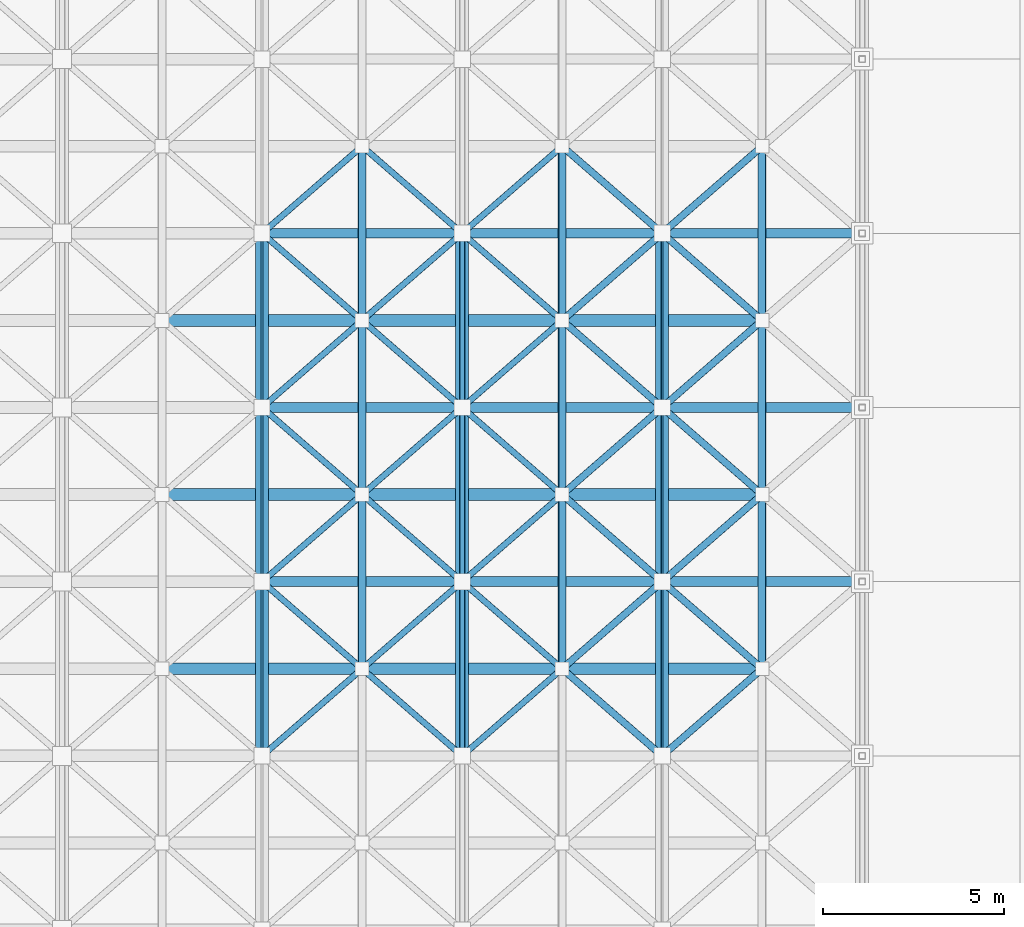
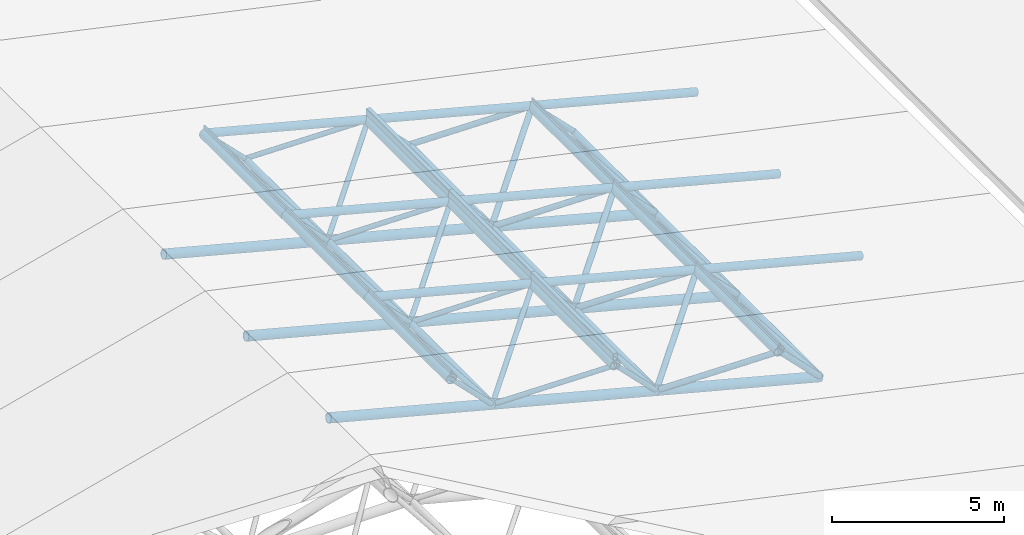
# One storey, part 12 of 60: 80 members.
"""IFC4 building model written with IfcOpenShell, lengths in metres."""

import ifcopenshell
import ifcopenshell.guid

model = None  # the IFC model being written
_history = None  # IfcOwnerHistory: only IFC2X3 demands one
_inside = {}  # id of a spatial element -> (the spatial element, [elements in it])
_under = {}  # id of a project, library or spatial element -> (it, [spatial elements below it])
_declared = {}  # id of a project -> (the project, [libraries it declares])
_typed = {}  # id of a type object -> (the type object, [elements of that type])
_made_of = {}  # id of a material, layer set ... -> (it, [elements and type objects made of it])


def new_model(schema):
    """Start an empty IFC model of exactly this schema.

    Asked for "IFC4X3", IfcOpenShell would pick the latest addendum, in which some entities
    have other attributes; the version numbers below select the first issue.
    IFC2X3 requires an IfcOwnerHistory on every rooted entity: one is made here for all.
    """
    global model, _history
    if schema == "IFC4X3":
        model = ifcopenshell.file(schema_version=(4, 3, 0, 0))
    else:
        model = ifcopenshell.file(schema=schema)
    _inside.clear()
    _under.clear()
    _declared.clear()
    _typed.clear()
    _made_of.clear()
    _history = None
    if model.schema == "IFC2X3":
        org = make("IfcOrganization", Name="unknown")
        user = make(
            "IfcPersonAndOrganization",
            ThePerson=make("IfcPerson", FamilyName="unknown"),
            TheOrganization=org,
        )
        app = make(
            "IfcApplication",
            ApplicationDeveloper=org,
            Version="unknown",
            ApplicationFullName="unknown",
            ApplicationIdentifier="unknown",
        )
        _history = make(
            "IfcOwnerHistory",
            OwningUser=user,
            OwningApplication=app,
            ChangeAction="ADDED",
            CreationDate=0,
        )
    return model


def make(cls, **values):
    """One entity of the class cls with the attributes given. An attribute that is None is left unset."""
    return model.create_entity(
        cls, **{name: value for name, value in values.items() if value is not None}
    )


def rooted(cls, **values):
    """An entity with a GlobalId (a new one), such as an element, a storey or a relation."""
    return make(cls, GlobalId=ifcopenshell.guid.new(), OwnerHistory=_history, **values)


def si_unit(unit_type, name, prefix=None):
    """IfcSIUnit, for example si_unit("LENGTHUNIT", "METRE", prefix="MILLI")."""
    return make("IfcSIUnit", UnitType=unit_type, Prefix=prefix, Name=name)


def assignment(units):
    """IfcUnitAssignment: the units of a project."""
    return None if units is None else make("IfcUnitAssignment", Units=units)


def point(xyz):
    """IfcCartesianPoint."""
    return None if xyz is None else make("IfcCartesianPoint", Coordinates=xyz)


def direction(xyz):
    """IfcDirection."""
    return None if xyz is None else make("IfcDirection", DirectionRatios=xyz)


def frame(location, z_axis=None, x_axis=None):
    """IfcAxis2Placement3D, a coordinate frame: its origin and axes. An axis left out is left unset."""
    return make(
        "IfcAxis2Placement3D",
        Location=point(location),
        Axis=direction(z_axis),
        RefDirection=direction(x_axis),
    )


def frame_2d(location, x_axis=None):
    """IfcAxis2Placement2D, a coordinate frame in the plane: its origin and x axis."""
    return make(
        "IfcAxis2Placement2D", Location=point(location), RefDirection=direction(x_axis)
    )


def origin():
    """The frame at (0, 0, 0) with its axes left unset."""
    return frame((0.0, 0.0, 0.0))


def origin_2d():
    """The frame at (0, 0) in the plane with its x axis left unset."""
    return frame_2d((0.0, 0.0))


def place(relative_to, where):
    """IfcLocalPlacement: puts the frame where relative to a parent placement (None: the world)."""
    return make(
        "IfcLocalPlacement", PlacementRelTo=relative_to, RelativePlacement=where
    )


def context(
    kind, dimensions, precision=None, world=None, true_north=None, identifier=None
):
    """IfcGeometricRepresentationContext, for example the 3D "Model" context."""
    return make(
        "IfcGeometricRepresentationContext",
        ContextIdentifier=identifier,
        ContextType=kind,
        CoordinateSpaceDimension=dimensions,
        Precision=precision,
        WorldCoordinateSystem=world,
        TrueNorth=true_north,
    )


def subcontext(parent, identifier, kind, view, scale=None):
    """IfcGeometricRepresentationSubContext, for example "Body" below "Model"."""
    return make(
        "IfcGeometricRepresentationSubContext",
        ContextIdentifier=identifier,
        ContextType=kind,
        ParentContext=parent,
        TargetScale=scale,
        TargetView=view,
    )


def project(units=None, contexts=None):
    """IfcProject with its units and contexts."""
    return rooted(
        "IfcProject",
        Name="project",
        RepresentationContexts=contexts,
        UnitsInContext=assignment(units),
    )


def spatial(cls, under=None, at=None, **own):
    """A site, building, storey or space (cls), placed at a placement, below another one or the project."""
    s = rooted(cls, ObjectPlacement=at, **own)
    if under is not None:
        _under.setdefault(under.id(), (under, []))[1].append(s)
    return s


def profile(cls, at=None, kind="AREA", **sizes):
    """A parametric profile (cls). Its sizes go by their IFC names, for example OverallWidth=200.0."""
    return make(cls, ProfileType=kind, Position=at, **sizes)


def hollow_rectangle(**sizes):
    """IfcRectangleHollowProfileDef."""
    return profile("IfcRectangleHollowProfileDef", **sizes)


def hollow_circle(**sizes):
    """IfcCircleHollowProfileDef."""
    return profile("IfcCircleHollowProfileDef", **sizes)


def extrude(swept, where, along, depth):
    """IfcExtrudedAreaSolid: the profile swept, set in the frame where, extruded along a direction by depth."""
    return make(
        "IfcExtrudedAreaSolid",
        SweptArea=swept,
        Position=where,
        ExtrudedDirection=direction(along),
        Depth=depth,
    )


def shape(context_of_items, identifier, shape_type, items):
    """IfcShapeRepresentation: the items that make up one representation, for example the "Body"."""
    return make(
        "IfcShapeRepresentation",
        ContextOfItems=context_of_items,
        RepresentationIdentifier=identifier,
        RepresentationType=shape_type,
        Items=items,
    )


def material(Name=None, Category=None):
    """IfcMaterial."""
    return make("IfcMaterial", Name=Name, Category=Category)


def material_profile(
    of_material, cross_section, Name=None, Category=None, Priority=None
):
    """IfcMaterialProfile: a cross section and its material."""
    return make(
        "IfcMaterialProfile",
        Name=Name,
        Material=of_material,
        Profile=cross_section,
        Priority=Priority,
        Category=Category,
    )


def profile_set(profiles, Name=None, composite=None):
    """IfcMaterialProfileSet."""
    return make(
        "IfcMaterialProfileSet",
        Name=Name,
        MaterialProfiles=profiles,
        CompositeProfile=composite,
    )


def made_of(thing, what):
    """Note that an element or type object is made of a material, layer set ...; save() writes the relation."""
    if what is not None:
        _made_of.setdefault(what.id(), (what, []))[1].append(thing)
    return thing


def type_object(cls, material=None, **own):
    """A type object (cls), such as IfcWallType, which elements share."""
    return made_of(rooted(cls, **own), material)


def element(
    cls,
    number,
    at=None,
    inside=None,
    cuts=None,
    type_object=None,
    material=None,
    context=None,
    identifier="Body",
    shape_type=None,
    held_by="IfcProductDefinitionShape",
    body=None,
    shapes=None,
    **own,
):
    """One element of the class cls, such as IfcWall. Its Tag is "e" and its number.

    at: its placement. inside: the storey or other place that contains it. cuts: it is an
    opening in that element (IfcRelVoidsElement). A single representation is given by context,
    identifier, shape_type and body (its items); several are given by shapes. held_by: the class
    of the entity that holds the representations. save() writes the other relations.
    """
    e = rooted(cls, Tag="e%d" % number, ObjectPlacement=at, **own)
    if body is not None:
        shapes = [shape(context, identifier, shape_type, body)]
    if shapes is not None:
        e.Representation = make(held_by, Representations=shapes)
    if inside is not None:
        _inside.setdefault(inside.id(), (inside, []))[1].append(e)
    if cuts is not None:
        rooted(
            "IfcRelVoidsElement", RelatingBuildingElement=cuts, RelatedOpeningElement=e
        )
    if type_object is not None:
        _typed.setdefault(type_object.id(), (type_object, []))[1].append(e)
    return made_of(e, material)


def aggregate(whole, parts):
    """IfcRelAggregates: a whole, such as a stair, and the parts it consists of."""
    return rooted("IfcRelAggregates", RelatingObject=whole, RelatedObjects=parts)


def save(model, path):
    """Write the relations noted so far, then the file.

    IfcRelAggregates (storeys below a building ...), IfcRelContainedInSpatialStructure (elements
    in a storey), IfcRelDefinesByType, IfcRelAssociatesMaterial and IfcRelDeclares: one each for
    every whole, place, type object, material and project.
    """
    for whole, parts in _under.values():
        aggregate(whole, parts)
    for where, things in _inside.values():
        rooted(
            "IfcRelContainedInSpatialStructure",
            RelatedElements=things,
            RelatingStructure=where,
        )
    for kind, things in _typed.values():
        rooted("IfcRelDefinesByType", RelatedObjects=things, RelatingType=kind)
    for what, things in _made_of.values():
        rooted("IfcRelAssociatesMaterial", RelatedObjects=things, RelatingMaterial=what)
    for by, libraries in _declared.values():
        rooted("IfcRelDeclares", RelatingContext=by, RelatedDefinitions=libraries)
    model.write(path)


model = new_model("IFC4")

# Units and contexts
model_context = context("Model", 3, precision=1e-05, world=origin(), true_north=direction((0.0, 1.0)))
body_context = subcontext(model_context, "Body", "Model", "MODEL_VIEW")
ifc_project = project(units=[si_unit("LENGTHUNIT", "METRE"), si_unit("AREAUNIT", "SQUARE_METRE"), si_unit("VOLUMEUNIT", "CUBIC_METRE"), si_unit("PLANEANGLEUNIT", "RADIAN"), si_unit("MASSUNIT", "GRAM", prefix="KILO")], contexts=[model_context])

# Site, building, storey
site_placement = place(None, origin())
site = spatial("IfcSite", under=ifc_project, at=site_placement, CompositionType="ELEMENT")
building_placement = place(site_placement, origin())
building = spatial("IfcBuilding", under=site, at=building_placement, Name="Nakhvara Creek Congress Hotel", CompositionType="ELEMENT")
storey_placement = place(building_placement, frame((0.0, 0.0, 54.60009765625)))
storey = spatial("IfcBuildingStorey", under=building, at=storey_placement, Name="RL1", CompositionType="ELEMENT", Elevation=54.60009765625)

# Members
ifc_material = material(Name="Steel S355J2H", Category="steel")
ifc_material_profile_1 = material_profile(ifc_material, hollow_circle(Radius=0.084228515625, WallThickness=0.010009765625, at=origin_2d()), Name="CHS 168.3x10.0", Category="LoadBearing")
ifc_profile_set_1 = profile_set([ifc_material_profile_1], Name="Steel S355J2H")
member_type_1 = type_object("IfcMemberType", Name="MEM-BRC-CHS168H", PredefinedType="BRACE", material=ifc_profile_set_1)
member_1_placement = place(storey_placement, frame((39.46875, 64.800048828125, -34.050048828125), z_axis=(-0.558223547657, -0.486084649868, 0.672389904746), x_axis=(0.656696195101, -0.754155227616, 0.0)))
element("IfcMember", 1, at=member_1_placement, inside=storey, type_object=member_type_1, Name="Congress Space Frame Web Diagonal 0510", PredefinedType="BRACE", context=body_context, shape_type="SweptSolid", body=[
    extrude(hollow_circle(Radius=0.084228515625, WallThickness=0.010009765625, at=origin_2d()), origin(), (0.0, 0.0, 1.0), 4.937744140625),
])
member_2_placement = place(storey_placement, frame((39.46875, 64.800048828125, -34.050048828125), z_axis=(0.670643902083, -0.583976988608, 0.45739220957), x_axis=(0.656696195101, 0.754155227616, 0.0)))
element("IfcMember", 2, at=member_2_placement, inside=storey, type_object=member_type_1, Name="Congress Space Frame Web Diagonal 0511", PredefinedType="BRACE", context=body_context, shape_type="SweptSolid", body=[
    extrude(hollow_circle(Radius=0.084228515625, WallThickness=0.010009765625, at=origin_2d()), origin(), (0.0, 0.0, 1.0), 4.110107421875),
])
member_3_placement = place(storey_placement, frame((39.46875, 64.800048828125, -34.050048828125), z_axis=(-0.558236963804, 0.486046886997, 0.672406064728), x_axis=(-0.656658200939, -0.754188310132, 0.0)))
element("IfcMember", 3, at=member_3_placement, inside=storey, type_object=member_type_1, Name="Congress Space Frame Web Diagonal 0512", PredefinedType="BRACE", context=body_context, shape_type="SweptSolid", body=[
    extrude(hollow_circle(Radius=0.084228515625, WallThickness=0.010009765625, at=origin_2d()), origin(), (0.0, 0.0, 1.0), 4.9375),
])
member_4_placement = place(storey_placement, frame((39.46875, 64.800048828125, -34.050048828125), z_axis=(0.670667166184, 0.583937842656, 0.457408076139), x_axis=(-0.656658200939, 0.754188310132, 0.0)))
element("IfcMember", 4, at=member_4_placement, inside=storey, type_object=member_type_1, Name="Congress Space Frame Web Diagonal 0513", PredefinedType="BRACE", context=body_context, shape_type="SweptSolid", body=[
    extrude(hollow_circle(Radius=0.084228515625, WallThickness=0.010009765625, at=origin_2d()), origin(), (0.0, 0.0, 1.0), 4.10986328125),
])
member_5_placement = place(storey_placement, frame((44.981201171875, 64.800048828125, -35.489990234375), z_axis=(-0.558208068284, -0.486114227947, 0.672381372355), x_axis=(0.656729278158, -0.754126418587, 0.0)))
element("IfcMember", 5, at=member_5_placement, inside=storey, type_object=member_type_1, Name="Congress Space Frame Web Diagonal 0516", PredefinedType="BRACE", context=body_context, shape_type="SweptSolid", body=[
    extrude(hollow_circle(Radius=0.084228515625, WallThickness=0.010009765625, at=origin_2d()), origin(), (0.0, 0.0, 1.0), 4.9375),
])
member_6_placement = place(storey_placement, frame((44.981201171875, 64.800048828125, -35.489990234375), z_axis=(-0.558221485692, 0.4860764642, 0.672397534099), x_axis=(-0.656691284984, -0.754159503173, 0.0)))
element("IfcMember", 6, at=member_6_placement, inside=storey, type_object=member_type_1, Name="Congress Space Frame Web Diagonal 0518", PredefinedType="BRACE", context=body_context, shape_type="SweptSolid", body=[
    extrude(hollow_circle(Radius=0.084228515625, WallThickness=0.010009765625, at=origin_2d()), origin(), (0.0, 0.0, 1.0), 4.937255859375),
])
member_7_placement = place(storey_placement, frame((39.46875, 69.60009765625, -34.050048828125), z_axis=(-0.558223547657, -0.486084649868, 0.672389904746), x_axis=(0.656696195101, -0.754155227616, 0.0)))
element("IfcMember", 7, at=member_7_placement, inside=storey, type_object=member_type_1, Name="Congress Space Frame Web Diagonal 0557", PredefinedType="BRACE", context=body_context, shape_type="SweptSolid", body=[
    extrude(hollow_circle(Radius=0.084228515625, WallThickness=0.010009765625, at=origin_2d()), origin(), (0.0, 0.0, 1.0), 4.937744140625),
])
member_8_placement = place(storey_placement, frame((39.46875, 69.60009765625, -34.050048828125), z_axis=(0.670643902083, -0.583976988608, 0.45739220957), x_axis=(0.656696195101, 0.754155227616, 0.0)))
element("IfcMember", 8, at=member_8_placement, inside=storey, type_object=member_type_1, Name="Congress Space Frame Web Diagonal 0558", PredefinedType="BRACE", context=body_context, shape_type="SweptSolid", body=[
    extrude(hollow_circle(Radius=0.084228515625, WallThickness=0.010009765625, at=origin_2d()), origin(), (0.0, 0.0, 1.0), 4.110107421875),
])
member_9_placement = place(storey_placement, frame((39.46875, 69.60009765625, -34.050048828125), z_axis=(-0.558236963804, 0.486046886997, 0.672406064728), x_axis=(-0.656658200939, -0.754188310132, 0.0)))
element("IfcMember", 9, at=member_9_placement, inside=storey, type_object=member_type_1, Name="Congress Space Frame Web Diagonal 0559", PredefinedType="BRACE", context=body_context, shape_type="SweptSolid", body=[
    extrude(hollow_circle(Radius=0.084228515625, WallThickness=0.010009765625, at=origin_2d()), origin(), (0.0, 0.0, 1.0), 4.9375),
])
member_10_placement = place(storey_placement, frame((39.46875, 69.60009765625, -34.050048828125), z_axis=(0.670667166184, 0.583937842656, 0.457408076139), x_axis=(-0.656658200939, 0.754188310132, 0.0)))
element("IfcMember", 10, at=member_10_placement, inside=storey, type_object=member_type_1, Name="Congress Space Frame Web Diagonal 0560", PredefinedType="BRACE", context=body_context, shape_type="SweptSolid", body=[
    extrude(hollow_circle(Radius=0.084228515625, WallThickness=0.010009765625, at=origin_2d()), origin(), (0.0, 0.0, 1.0), 4.10986328125),
])
member_11_placement = place(storey_placement, frame((44.981201171875, 69.60009765625, -35.489990234375), z_axis=(-0.558208068284, -0.486114227947, 0.672381372355), x_axis=(0.656729278158, -0.754126418587, 0.0)))
element("IfcMember", 11, at=member_11_placement, inside=storey, type_object=member_type_1, Name="Congress Space Frame Web Diagonal 0563", PredefinedType="BRACE", context=body_context, shape_type="SweptSolid", body=[
    extrude(hollow_circle(Radius=0.084228515625, WallThickness=0.010009765625, at=origin_2d()), origin(), (0.0, 0.0, 1.0), 4.9375),
])
member_12_placement = place(storey_placement, frame((44.981201171875, 69.60009765625, -35.489990234375), z_axis=(-0.558221485692, 0.4860764642, 0.672397534099), x_axis=(-0.656691284984, -0.754159503173, 0.0)))
element("IfcMember", 12, at=member_12_placement, inside=storey, type_object=member_type_1, Name="Congress Space Frame Web Diagonal 0565", PredefinedType="BRACE", context=body_context, shape_type="SweptSolid", body=[
    extrude(hollow_circle(Radius=0.084228515625, WallThickness=0.010009765625, at=origin_2d()), origin(), (0.0, 0.0, 1.0), 4.937255859375),
])
member_13_placement = place(storey_placement, frame((39.46875, 74.39990234375, -34.050048828125), z_axis=(-0.558236963804, -0.486046886997, 0.672406064728), x_axis=(0.656658200939, -0.754188310132, 0.0)))
element("IfcMember", 13, at=member_13_placement, inside=storey, type_object=member_type_1, Name="Congress Space Frame Web Diagonal 0604", PredefinedType="BRACE", context=body_context, shape_type="SweptSolid", body=[
    extrude(hollow_circle(Radius=0.084228515625, WallThickness=0.010009765625, at=origin_2d()), origin(), (0.0, 0.0, 1.0), 4.9375),
])
member_14_placement = place(storey_placement, frame((39.46875, 74.39990234375, -34.050048828125), z_axis=(0.670667166184, -0.583937842656, 0.457408076139), x_axis=(0.656658200939, 0.754188310132, 0.0)))
element("IfcMember", 14, at=member_14_placement, inside=storey, type_object=member_type_1, Name="Congress Space Frame Web Diagonal 0605", PredefinedType="BRACE", context=body_context, shape_type="SweptSolid", body=[
    extrude(hollow_circle(Radius=0.084228515625, WallThickness=0.010009765625, at=origin_2d()), origin(), (0.0, 0.0, 1.0), 4.10986328125),
])
member_15_placement = place(storey_placement, frame((39.46875, 74.39990234375, -34.050048828125), z_axis=(-0.558223547657, 0.486084649868, 0.672389904746), x_axis=(-0.656696195101, -0.754155227616, 0.0)))
element("IfcMember", 15, at=member_15_placement, inside=storey, type_object=member_type_1, Name="Congress Space Frame Web Diagonal 0606", PredefinedType="BRACE", context=body_context, shape_type="SweptSolid", body=[
    extrude(hollow_circle(Radius=0.084228515625, WallThickness=0.010009765625, at=origin_2d()), origin(), (0.0, 0.0, 1.0), 4.937744140625),
])
member_16_placement = place(storey_placement, frame((39.46875, 74.39990234375, -34.050048828125), z_axis=(0.670643902083, 0.583976988608, 0.45739220957), x_axis=(-0.656696195101, 0.754155227616, 0.0)))
element("IfcMember", 16, at=member_16_placement, inside=storey, type_object=member_type_1, Name="Congress Space Frame Web Diagonal 0607", PredefinedType="BRACE", context=body_context, shape_type="SweptSolid", body=[
    extrude(hollow_circle(Radius=0.084228515625, WallThickness=0.010009765625, at=origin_2d()), origin(), (0.0, 0.0, 1.0), 4.110107421875),
])
member_17_placement = place(storey_placement, frame((44.981201171875, 74.39990234375, -35.489990234375), z_axis=(-0.558221485692, -0.4860764642, 0.672397534099), x_axis=(0.656691284984, -0.754159503173, 0.0)))
element("IfcMember", 17, at=member_17_placement, inside=storey, type_object=member_type_1, Name="Congress Space Frame Web Diagonal 0610", PredefinedType="BRACE", context=body_context, shape_type="SweptSolid", body=[
    extrude(hollow_circle(Radius=0.084228515625, WallThickness=0.010009765625, at=origin_2d()), origin(), (0.0, 0.0, 1.0), 4.937255859375),
])
for number, where, z_axis, x_axis, name in (
    (18, (44.981201171875, 74.39990234375, -35.489990234375), (-0.558208068284, 0.486114227947, 0.672381372355), (-0.656729278158, -0.754126418587, 0.0), "Congress Space Frame Web Diagonal 0612"),
    (19, (39.46875, 79.199951171875, -34.050048828125), (-0.558236963804, -0.486046886997, 0.672406064728), (0.656658200939, -0.754188310132, 0.0), "Congress Space Frame Web Diagonal 0651"),
):
    element("IfcMember", number, at=place(storey_placement, frame(where, z_axis=z_axis, x_axis=x_axis)), inside=storey, type_object=member_type_1, Name=name, PredefinedType="BRACE", context=body_context, shape_type="SweptSolid", body=[
        extrude(hollow_circle(Radius=0.084228515625, WallThickness=0.010009765625, at=origin_2d()), origin(), (0.0, 0.0, 1.0), 4.9375),
    ])
member_18_placement = place(storey_placement, frame((39.46875, 79.199951171875, -34.050048828125), z_axis=(0.670667166184, -0.583937842656, 0.457408076139), x_axis=(0.656658200939, 0.754188310132, 0.0)))
element("IfcMember", 20, at=member_18_placement, inside=storey, type_object=member_type_1, Name="Congress Space Frame Web Diagonal 0652", PredefinedType="BRACE", context=body_context, shape_type="SweptSolid", body=[
    extrude(hollow_circle(Radius=0.084228515625, WallThickness=0.010009765625, at=origin_2d()), origin(), (0.0, 0.0, 1.0), 4.10986328125),
])
member_19_placement = place(storey_placement, frame((44.981201171875, 79.199951171875, -35.489990234375), z_axis=(-0.558221485692, -0.4860764642, 0.672397534099), x_axis=(0.656691284984, -0.754159503173, 0.0)))
element("IfcMember", 21, at=member_19_placement, inside=storey, type_object=member_type_1, Name="Congress Space Frame Web Diagonal 0657", PredefinedType="BRACE", context=body_context, shape_type="SweptSolid", body=[
    extrude(hollow_circle(Radius=0.084228515625, WallThickness=0.010009765625, at=origin_2d()), origin(), (0.0, 0.0, 1.0), 4.937255859375),
])
ifc_material_profile_2 = material_profile(ifc_material, hollow_circle(Radius=0.096923828125, WallThickness=0.010009765625, at=origin_2d()), Name="CHS 193.7x10.0", Category="LoadBearing")
ifc_profile_set_2 = profile_set([ifc_material_profile_2], Name="Steel S355J2H")
member_type_2 = type_object("IfcMemberType", Name="MEM-BRC-CHS193", PredefinedType="BRACE", material=ifc_profile_set_2)
member_20_placement = place(storey_placement, frame((44.981201171875, 64.800048828125, -35.489990234375), z_axis=(0.670643902083, -0.583976988608, 0.45739220957), x_axis=(0.656696195101, 0.754155227616, 0.0)))
element("IfcMember", 22, at=member_20_placement, inside=storey, type_object=member_type_2, Name="Congress Space Frame Web Diagonal 0517", PredefinedType="BRACE", context=body_context, shape_type="SweptSolid", body=[
    extrude(hollow_circle(Radius=0.096923828125, WallThickness=0.010009765625, at=origin_2d()), origin(), (0.0, 0.0, 1.0), 4.110107421875),
])
member_21_placement = place(storey_placement, frame((44.981201171875, 64.800048828125, -35.489990234375), z_axis=(0.670667166184, 0.583937842656, 0.457408076139), x_axis=(-0.656658200939, 0.754188310132, 0.0)))
element("IfcMember", 23, at=member_21_placement, inside=storey, type_object=member_type_2, Name="Congress Space Frame Web Diagonal 0519", PredefinedType="BRACE", context=body_context, shape_type="SweptSolid", body=[
    extrude(hollow_circle(Radius=0.096923828125, WallThickness=0.010009765625, at=origin_2d()), origin(), (0.0, 0.0, 1.0), 4.10986328125),
])
for number, where, z_axis, x_axis, name in (
    (24, (50.49365234375, 64.800048828125, -36.93017578125), (-0.558189509619, -0.486098066176, 0.672408463221), (0.656729278158, -0.754126418587, 0.0), "Congress Space Frame Web Diagonal 0521"),
    (25, (50.49365234375, 64.800048828125, -36.93017578125), (-0.558202925689, 0.486060302908, 0.672424624541), (-0.656691284984, -0.754159503173, 0.0), "Congress Space Frame Web Diagonal 0523"),
):
    element("IfcMember", number, at=place(storey_placement, frame(where, z_axis=z_axis, x_axis=x_axis)), inside=storey, type_object=member_type_2, Name=name, PredefinedType="BRACE", context=body_context, shape_type="SweptSolid", body=[
        extrude(hollow_circle(Radius=0.096923828125, WallThickness=0.010009765625, at=origin_2d()), origin(), (0.0, 0.0, 1.0), 4.9375),
    ])
member_22_placement = place(storey_placement, frame((44.981201171875, 69.60009765625, -35.489990234375), z_axis=(0.670643902083, -0.583976988608, 0.45739220957), x_axis=(0.656696195101, 0.754155227616, 0.0)))
element("IfcMember", 26, at=member_22_placement, inside=storey, type_object=member_type_2, Name="Congress Space Frame Web Diagonal 0564", PredefinedType="BRACE", context=body_context, shape_type="SweptSolid", body=[
    extrude(hollow_circle(Radius=0.096923828125, WallThickness=0.010009765625, at=origin_2d()), origin(), (0.0, 0.0, 1.0), 4.110107421875),
])
member_23_placement = place(storey_placement, frame((44.981201171875, 69.60009765625, -35.489990234375), z_axis=(0.670667166184, 0.583937842656, 0.457408076139), x_axis=(-0.656658200939, 0.754188310132, 0.0)))
element("IfcMember", 27, at=member_23_placement, inside=storey, type_object=member_type_2, Name="Congress Space Frame Web Diagonal 0566", PredefinedType="BRACE", context=body_context, shape_type="SweptSolid", body=[
    extrude(hollow_circle(Radius=0.096923828125, WallThickness=0.010009765625, at=origin_2d()), origin(), (0.0, 0.0, 1.0), 4.10986328125),
])
for number, where, z_axis, x_axis, name in (
    (28, (50.49365234375, 69.60009765625, -36.93017578125), (-0.558189509619, -0.486098066176, 0.672408463221), (0.656729278158, -0.754126418587, 0.0), "Congress Space Frame Web Diagonal 0568"),
    (29, (50.49365234375, 69.60009765625, -36.93017578125), (-0.558202925689, 0.486060302908, 0.672424624541), (-0.656691284984, -0.754159503173, 0.0), "Congress Space Frame Web Diagonal 0570"),
):
    element("IfcMember", number, at=place(storey_placement, frame(where, z_axis=z_axis, x_axis=x_axis)), inside=storey, type_object=member_type_2, Name=name, PredefinedType="BRACE", context=body_context, shape_type="SweptSolid", body=[
        extrude(hollow_circle(Radius=0.096923828125, WallThickness=0.010009765625, at=origin_2d()), origin(), (0.0, 0.0, 1.0), 4.9375),
    ])
member_24_placement = place(storey_placement, frame((44.981201171875, 74.39990234375, -35.489990234375), z_axis=(0.670667166184, -0.583937842656, 0.457408076139), x_axis=(0.656658200939, 0.754188310132, 0.0)))
element("IfcMember", 30, at=member_24_placement, inside=storey, type_object=member_type_2, Name="Congress Space Frame Web Diagonal 0611", PredefinedType="BRACE", context=body_context, shape_type="SweptSolid", body=[
    extrude(hollow_circle(Radius=0.096923828125, WallThickness=0.010009765625, at=origin_2d()), origin(), (0.0, 0.0, 1.0), 4.10986328125),
])
member_25_placement = place(storey_placement, frame((44.981201171875, 74.39990234375, -35.489990234375), z_axis=(0.670643902083, 0.583976988608, 0.45739220957), x_axis=(-0.656696195101, 0.754155227616, 0.0)))
element("IfcMember", 31, at=member_25_placement, inside=storey, type_object=member_type_2, Name="Congress Space Frame Web Diagonal 0613", PredefinedType="BRACE", context=body_context, shape_type="SweptSolid", body=[
    extrude(hollow_circle(Radius=0.096923828125, WallThickness=0.010009765625, at=origin_2d()), origin(), (0.0, 0.0, 1.0), 4.110107421875),
])
for number, where, z_axis, x_axis, name in (
    (32, (50.49365234375, 74.39990234375, -36.93017578125), (-0.558202925689, -0.486060302908, 0.672424624541), (0.656691284984, -0.754159503173, 0.0), "Congress Space Frame Web Diagonal 0615"),
    (33, (50.49365234375, 74.39990234375, -36.93017578125), (-0.558189509619, 0.486098066176, 0.672408463221), (-0.656729278158, -0.754126418587, 0.0), "Congress Space Frame Web Diagonal 0617"),
):
    element("IfcMember", number, at=place(storey_placement, frame(where, z_axis=z_axis, x_axis=x_axis)), inside=storey, type_object=member_type_2, Name=name, PredefinedType="BRACE", context=body_context, shape_type="SweptSolid", body=[
        extrude(hollow_circle(Radius=0.096923828125, WallThickness=0.010009765625, at=origin_2d()), origin(), (0.0, 0.0, 1.0), 4.9375),
    ])
member_26_placement = place(storey_placement, frame((44.981201171875, 79.199951171875, -35.489990234375), z_axis=(0.670667166184, -0.583937842656, 0.457408076139), x_axis=(0.656658200939, 0.754188310132, 0.0)))
element("IfcMember", 34, at=member_26_placement, inside=storey, type_object=member_type_2, Name="Congress Space Frame Web Diagonal 0658", PredefinedType="BRACE", context=body_context, shape_type="SweptSolid", body=[
    extrude(hollow_circle(Radius=0.096923828125, WallThickness=0.010009765625, at=origin_2d()), origin(), (0.0, 0.0, 1.0), 4.10986328125),
])
member_27_placement = place(storey_placement, frame((50.49365234375, 79.199951171875, -36.93017578125), z_axis=(-0.558202925689, -0.486060302908, 0.672424624541), x_axis=(0.656691284984, -0.754159503173, 0.0)))
element("IfcMember", 35, at=member_27_placement, inside=storey, type_object=member_type_2, Name="Congress Space Frame Web Diagonal 0662", PredefinedType="BRACE", context=body_context, shape_type="SweptSolid", body=[
    extrude(hollow_circle(Radius=0.096923828125, WallThickness=0.010009765625, at=origin_2d()), origin(), (0.0, 0.0, 1.0), 4.9375),
])
ifc_material_profile_3 = material_profile(ifc_material, hollow_circle(Radius=0.109619140625, WallThickness=0.012451171875, at=origin_2d()), Name="CHS 219.1x12.5", Category="LoadBearing")
ifc_profile_set_3 = profile_set([ifc_material_profile_3], Name="Steel S355J2H")
member_type_3 = type_object("IfcMemberType", Name="MEM-CHD-CHS219H", PredefinedType="CHORD", material=ifc_profile_set_3)
for number, where, z_axis, x_axis, name in (
    (36, (39.46875, 64.800048828125, -34.050048828125), (0.0, 1.0, 0.0), (-1.0, 0.0, 0.0), "Congress Roof Truss Bottom Tie 0509"),
    (37, (44.981201171875, 64.800048828125, -35.489990234375), (0.0, 1.0, 0.0), (-1.0, 0.0, 0.0), "Congress Roof Truss Bottom Tie 0515"),
    (38, (50.49365234375, 64.800048828125, -36.93017578125), (0.0, 1.0, 0.0), (-1.0, 0.0, 0.0), "Congress Roof Truss Bottom Tie 0520"),
):
    element("IfcMember", number, at=place(storey_placement, frame(where, z_axis=z_axis, x_axis=x_axis)), inside=storey, type_object=member_type_3, Name=name, PredefinedType="CHORD", context=body_context, shape_type="SweptSolid", body=[
        extrude(hollow_circle(Radius=0.109619140625, WallThickness=0.012451171875, at=origin_2d()), origin(), (0.0, 0.0, 1.0), 4.800048828125),
    ])
for number, where, z_axis, x_axis, name in (
    (39, (39.46875, 69.60009765625, -34.050048828125), (0.0, 1.0, 0.0), (-1.0, 0.0, 0.0), "Congress Roof Truss Bottom Tie 0556"),
    (40, (44.981201171875, 69.60009765625, -35.489990234375), (0.0, 1.0, 0.0), (-1.0, 0.0, 0.0), "Congress Roof Truss Bottom Tie 0562"),
    (41, (50.49365234375, 69.60009765625, -36.93017578125), (0.0, 1.0, 0.0), (-1.0, 0.0, 0.0), "Congress Roof Truss Bottom Tie 0567"),
):
    element("IfcMember", number, at=place(storey_placement, frame(where, z_axis=z_axis, x_axis=x_axis)), inside=storey, type_object=member_type_3, Name=name, PredefinedType="CHORD", context=body_context, shape_type="SweptSolid", body=[
        extrude(hollow_circle(Radius=0.109619140625, WallThickness=0.012451171875, at=origin_2d()), origin(), (0.0, 0.0, 1.0), 4.7998046875),
    ])
for number, where, z_axis, x_axis, name in (
    (42, (39.46875, 74.39990234375, -34.050048828125), (0.0, 1.0, 0.0), (-1.0, 0.0, 0.0), "Congress Roof Truss Bottom Tie 0603"),
    (43, (44.981201171875, 74.39990234375, -35.489990234375), (0.0, 1.0, 0.0), (-1.0, 0.0, 0.0), "Congress Roof Truss Bottom Tie 0609"),
    (44, (50.49365234375, 74.39990234375, -36.93017578125), (0.0, 1.0, 0.0), (-1.0, 0.0, 0.0), "Congress Roof Truss Bottom Tie 0614"),
):
    element("IfcMember", number, at=place(storey_placement, frame(where, z_axis=z_axis, x_axis=x_axis)), inside=storey, type_object=member_type_3, Name=name, PredefinedType="CHORD", context=body_context, shape_type="SweptSolid", body=[
        extrude(hollow_circle(Radius=0.109619140625, WallThickness=0.012451171875, at=origin_2d()), origin(), (0.0, 0.0, 1.0), 4.800048828125),
    ])
ifc_material_profile_4 = material_profile(ifc_material, hollow_circle(Radius=0.136474609375, WallThickness=0.01611328125, at=origin_2d()), Name="CHS 273.0x16.0", Category="LoadBearing")
ifc_profile_set_4 = profile_set([ifc_material_profile_4], Name="Steel S355J2H")
member_type_4 = type_object("IfcMemberType", Name="MEM-CHD-CHS273H", PredefinedType="CHORD", material=ifc_profile_set_4)
member_28_placement = place(storey_placement, frame((36.71240234375, 67.199951171875, -30.72998046875), z_axis=(0.967527570021, 0.0, -0.252765506446), x_axis=(0.0, 1.0, 0.0)))
element("IfcMember", 45, at=member_28_placement, inside=storey, type_object=member_type_4, Name="Congress Space Frame Top Chord 0130", PredefinedType="CHORD", context=body_context, shape_type="SweptSolid", body=[
    extrude(hollow_circle(Radius=0.136474609375, WallThickness=0.01611328125, at=origin_2d()), origin(), (0.0, 0.0, 1.0), 5.69775390625),
])
for number, where, z_axis, x_axis, name in (
    (46, (42.22509765625, 67.199951171875, -32.170166015625), (0.967535311358, 0.0, -0.252735872554), (0.0, 1.0, 0.0), "Congress Space Frame Top Chord 0132"),
    (47, (47.737548828125, 67.199951171875, -33.610107421875), (0.967535311358, 0.0, -0.252735872554), (0.0, 1.0, 0.0), "Congress Space Frame Top Chord 0134"),
):
    element("IfcMember", number, at=place(storey_placement, frame(where, z_axis=z_axis, x_axis=x_axis)), inside=storey, type_object=member_type_4, Name=name, PredefinedType="CHORD", context=body_context, shape_type="SweptSolid", body=[
        extrude(hollow_circle(Radius=0.136474609375, WallThickness=0.01611328125, at=origin_2d()), origin(), (0.0, 0.0, 1.0), 5.697509765625),
    ])
member_29_placement = place(storey_placement, frame((36.71240234375, 72.0, -30.72998046875), z_axis=(0.967527570021, 0.0, -0.252765506446), x_axis=(0.0, 1.0, 0.0)))
element("IfcMember", 48, at=member_29_placement, inside=storey, type_object=member_type_4, Name="Congress Space Frame Top Chord 0147", PredefinedType="CHORD", context=body_context, shape_type="SweptSolid", body=[
    extrude(hollow_circle(Radius=0.136474609375, WallThickness=0.01611328125, at=origin_2d()), origin(), (0.0, 0.0, 1.0), 5.69775390625),
])
for number, where, z_axis, x_axis, name in (
    (49, (42.22509765625, 72.0, -32.170166015625), (0.967535311358, 0.0, -0.252735872554), (0.0, 1.0, 0.0), "Congress Space Frame Top Chord 0149"),
    (50, (47.737548828125, 72.0, -33.610107421875), (0.967535311358, 0.0, -0.252735872554), (0.0, 1.0, 0.0), "Congress Space Frame Top Chord 0151"),
):
    element("IfcMember", number, at=place(storey_placement, frame(where, z_axis=z_axis, x_axis=x_axis)), inside=storey, type_object=member_type_4, Name=name, PredefinedType="CHORD", context=body_context, shape_type="SweptSolid", body=[
        extrude(hollow_circle(Radius=0.136474609375, WallThickness=0.01611328125, at=origin_2d()), origin(), (0.0, 0.0, 1.0), 5.697509765625),
    ])
member_30_placement = place(storey_placement, frame((36.71240234375, 76.800048828125, -30.72998046875), z_axis=(0.967527570021, 0.0, -0.252765506446), x_axis=(0.0, 1.0, 0.0)))
element("IfcMember", 51, at=member_30_placement, inside=storey, type_object=member_type_4, Name="Congress Space Frame Top Chord 0164", PredefinedType="CHORD", context=body_context, shape_type="SweptSolid", body=[
    extrude(hollow_circle(Radius=0.136474609375, WallThickness=0.01611328125, at=origin_2d()), origin(), (0.0, 0.0, 1.0), 5.69775390625),
])
for number, where, z_axis, x_axis, name in (
    (52, (42.22509765625, 76.800048828125, -32.170166015625), (0.967535311358, 0.0, -0.252735872554), (0.0, 1.0, 0.0), "Congress Space Frame Top Chord 0166"),
    (53, (47.737548828125, 76.800048828125, -33.610107421875), (0.967535311358, 0.0, -0.252735872554), (0.0, 1.0, 0.0), "Congress Space Frame Top Chord 0168"),
):
    element("IfcMember", number, at=place(storey_placement, frame(where, z_axis=z_axis, x_axis=x_axis)), inside=storey, type_object=member_type_4, Name=name, PredefinedType="CHORD", context=body_context, shape_type="SweptSolid", body=[
        extrude(hollow_circle(Radius=0.136474609375, WallThickness=0.01611328125, at=origin_2d()), origin(), (0.0, 0.0, 1.0), 5.697509765625),
    ])
ifc_material_profile_5 = material_profile(ifc_material, hollow_circle(Radius=0.161865234375, WallThickness=0.012451171875, at=origin_2d()), Name="CHS 323.9x12.5", Category="LoadBearing")
ifc_profile_set_5 = profile_set([ifc_material_profile_5], Name="Steel S355J2H")
member_type_5 = type_object("IfcMemberType", Name="MEM-CHD-CHS324", PredefinedType="CHORD", material=ifc_profile_set_5)
for number, where, z_axis, x_axis, name in (
    (54, (33.956298828125, 64.800048828125, -32.610107421875), (0.967535311358, 0.0, -0.252735872554), (0.0, 1.0, 0.0), "Congress Space Frame Bottom Chord 0502"),
    (55, (39.46875, 64.800048828125, -34.050048828125), (0.967535311358, 0.0, -0.252735872554), (0.0, 1.0, 0.0), "Congress Space Frame Bottom Chord 0508"),
    (56, (44.981201171875, 64.800048828125, -35.489990234375), (0.967524832219, 0.0, -0.252775985883), (0.0, 1.0, 0.0), "Congress Space Frame Bottom Chord 0514"),
    (57, (33.956298828125, 69.60009765625, -32.610107421875), (0.967535311358, 0.0, -0.252735872554), (0.0, 1.0, 0.0), "Congress Space Frame Bottom Chord 0549"),
    (58, (39.46875, 69.60009765625, -34.050048828125), (0.967535311358, 0.0, -0.252735872554), (0.0, 1.0, 0.0), "Congress Space Frame Bottom Chord 0555"),
    (59, (44.981201171875, 69.60009765625, -35.489990234375), (0.967524832219, 0.0, -0.252775985883), (0.0, 1.0, 0.0), "Congress Space Frame Bottom Chord 0561"),
    (60, (33.956298828125, 74.39990234375, -32.610107421875), (0.967535311358, 0.0, -0.252735872554), (0.0, 1.0, 0.0), "Congress Space Frame Bottom Chord 0596"),
    (61, (39.46875, 74.39990234375, -34.050048828125), (0.967535311358, 0.0, -0.252735872554), (0.0, 1.0, 0.0), "Congress Space Frame Bottom Chord 0602"),
    (62, (44.981201171875, 74.39990234375, -35.489990234375), (0.967524832219, 0.0, -0.252775985883), (0.0, 1.0, 0.0), "Congress Space Frame Bottom Chord 0608"),
):
    element("IfcMember", number, at=place(storey_placement, frame(where, z_axis=z_axis, x_axis=x_axis)), inside=storey, type_object=member_type_5, Name=name, PredefinedType="CHORD", context=body_context, shape_type="SweptSolid", body=[
        extrude(hollow_circle(Radius=0.161865234375, WallThickness=0.012451171875, at=origin_2d()), origin(), (0.0, 0.0, 1.0), 5.697509765625),
    ])
ifc_material_profile_6 = material_profile(ifc_material, hollow_circle(Radius=0.177734375, WallThickness=0.01611328125, at=origin_2d()), Name="CHS 355.6x16.0", Category="LoadBearing")
ifc_profile_set_6 = profile_set([ifc_material_profile_6], Name="Steel S355J2H")
member_type_6 = type_object("IfcMemberType", Name="MEM-CHD-CHS355", PredefinedType="CHORD", material=ifc_profile_set_6)
for number, where, z_axis, x_axis, name in (
    (63, (36.71240234375, 62.39990234375, -30.72998046875), (0.0, 1.0, 0.0), (-1.0, 0.0, 0.0), "Congress Roof Truss Longitudinal Chord 0114"),
    (64, (42.22509765625, 62.39990234375, -32.170166015625), (0.0, 1.0, 0.0), (-1.0, 0.0, 0.0), "Congress Roof Truss Longitudinal Chord 0116"),
    (65, (47.737548828125, 62.39990234375, -33.610107421875), (0.0, 1.0, 0.0), (-1.0, 0.0, 0.0), "Congress Roof Truss Longitudinal Chord 0118"),
    (66, (36.71240234375, 67.199951171875, -30.72998046875), (0.0, 1.0, 0.0), (-1.0, 0.0, 0.0), "Congress Roof Truss Longitudinal Chord 0131"),
    (67, (42.22509765625, 67.199951171875, -32.170166015625), (0.0, 1.0, 0.0), (-1.0, 0.0, 0.0), "Congress Roof Truss Longitudinal Chord 0133"),
    (68, (47.737548828125, 67.199951171875, -33.610107421875), (0.0, 1.0, 0.0), (-1.0, 0.0, 0.0), "Congress Roof Truss Longitudinal Chord 0135"),
    (69, (36.71240234375, 72.0, -30.72998046875), (0.0, 1.0, 0.0), (-1.0, 0.0, 0.0), "Congress Roof Truss Longitudinal Chord 0148"),
    (70, (42.22509765625, 72.0, -32.170166015625), (0.0, 1.0, 0.0), (-1.0, 0.0, 0.0), "Congress Roof Truss Longitudinal Chord 0150"),
    (71, (47.737548828125, 72.0, -33.610107421875), (0.0, 1.0, 0.0), (-1.0, 0.0, 0.0), "Congress Roof Truss Longitudinal Chord 0152"),
):
    element("IfcMember", number, at=place(storey_placement, frame(where, z_axis=z_axis, x_axis=x_axis)), inside=storey, type_object=member_type_6, Name=name, PredefinedType="CHORD", context=body_context, shape_type="SweptSolid", body=[
        extrude(hollow_circle(Radius=0.177734375, WallThickness=0.01611328125, at=origin_2d()), origin(), (0.0, 0.0, 1.0), 4.800048828125),
    ])
ifc_material_profile_7 = material_profile(ifc_material, hollow_rectangle(XDim=0.06005859375, YDim=0.1201171875, WallThickness=0.0048828125, InnerFilletRadius=0.0048828125, OuterFilletRadius=0.010009765625, at=origin_2d()), Name="RHS 120x60x5.0", Category="LoadBearing")
ifc_profile_set_7 = profile_set([ifc_material_profile_7], Name="Steel S355J2H")
member_type_7 = type_object("IfcMemberType", Name="MEM-PUR-RHS120", PredefinedType="PURLIN", material=ifc_profile_set_7)
for number, where, z_axis, x_axis, name in (
    (72, (36.71240234375, 62.39990234375, -30.498046875), (0.0, 1.0, 0.0), (-1.0, 0.0, 0.0), "Congress Roof Purlin 062"),
    (73, (36.71240234375, 67.199951171875, -30.498046875), (0.0, 1.0, 0.0), (-1.0, 0.0, 0.0), "Congress Roof Purlin 063"),
    (74, (36.71240234375, 72.0, -30.498046875), (0.0, 1.0, 0.0), (-1.0, 0.0, 0.0), "Congress Roof Purlin 064"),
    (75, (47.737548828125, 62.39990234375, -33.378173828125), (0.0, 1.0, 0.0), (-1.0, 0.0, 0.0), "Congress Roof Purlin 084"),
    (76, (47.737548828125, 67.199951171875, -33.378173828125), (0.0, 1.0, 0.0), (-1.0, 0.0, 0.0), "Congress Roof Purlin 085"),
    (77, (47.737548828125, 72.0, -33.378173828125), (0.0, 1.0, 0.0), (-1.0, 0.0, 0.0), "Congress Roof Purlin 086"),
):
    element("IfcMember", number, at=place(storey_placement, frame(where, z_axis=z_axis, x_axis=x_axis)), inside=storey, type_object=member_type_7, Name=name, PredefinedType="PURLIN", context=body_context, shape_type="SweptSolid", body=[
        extrude(hollow_rectangle(XDim=0.06005859375, YDim=0.1201171875, WallThickness=0.0048828125, InnerFilletRadius=0.0048828125, OuterFilletRadius=0.010009765625, at=origin_2d()), origin(), (0.0, 0.0, 1.0), 4.800048828125),
    ])
ifc_material_profile_8 = material_profile(ifc_material, hollow_rectangle(XDim=0.14990234375, YDim=0.25, WallThickness=0.010009765625, InnerFilletRadius=0.010009765625, OuterFilletRadius=0.02001953125, at=origin_2d()), Name="RHS 250x150x10.0", Category="LoadBearing")
ifc_profile_set_8 = profile_set([ifc_material_profile_8], Name="Steel S355J2H")
member_type_8 = type_object("IfcMemberType", Name="MEM-PUR-RHS250", PredefinedType="PURLIN", material=ifc_profile_set_8)
for number, where, z_axis, x_axis, name in (
    (78, (42.22509765625, 62.39990234375, -31.873046875), (0.0, 1.0, 0.0), (-1.0, 0.0, 0.0), "Congress Roof Purlin 073"),
    (79, (42.22509765625, 67.199951171875, -31.873046875), (0.0, 1.0, 0.0), (-1.0, 0.0, 0.0), "Congress Roof Purlin 074"),
    (80, (42.22509765625, 72.0, -31.873046875), (0.0, 1.0, 0.0), (-1.0, 0.0, 0.0), "Congress Roof Purlin 075"),
):
    element("IfcMember", number, at=place(storey_placement, frame(where, z_axis=z_axis, x_axis=x_axis)), inside=storey, type_object=member_type_8, Name=name, PredefinedType="PURLIN", context=body_context, shape_type="SweptSolid", body=[
        extrude(hollow_rectangle(XDim=0.14990234375, YDim=0.25, WallThickness=0.010009765625, InnerFilletRadius=0.010009765625, OuterFilletRadius=0.02001953125, at=origin_2d()), origin(), (0.0, 0.0, 1.0), 4.800048828125),
    ])

save(model, "model.ifc")
